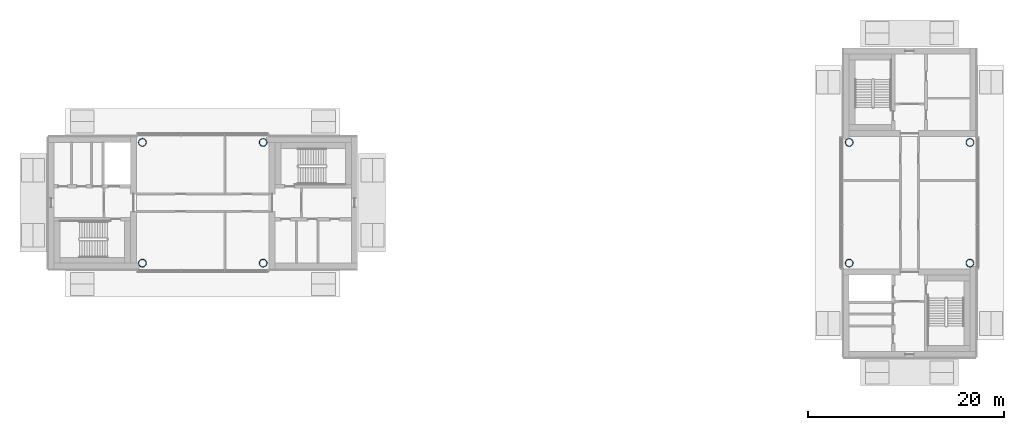
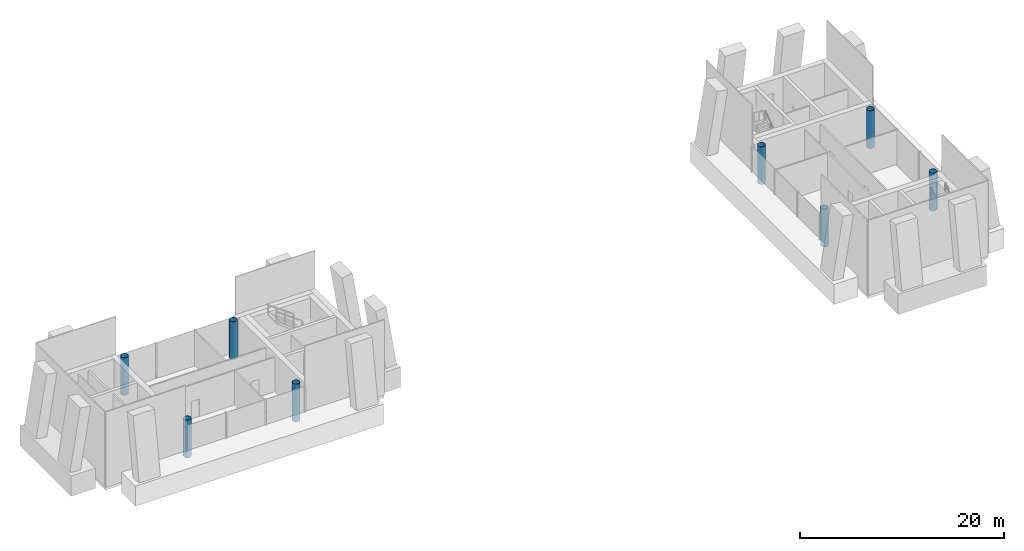
# One storey, part 1 of 12: 8 columns.
"""IFC4 building model written with IfcOpenShell, lengths in metres."""

from ifc_helpers import new_model, si_unit, direction, frame, origin, origin_2d, place, context, subcontext, project, spatial, hollow_circle, extrude, material, material_profile, profile_set, type_object, element, save


model = new_model("IFC4")

# Units and contexts
model_context = context("Model", 3, precision=1e-05, world=origin(), true_north=direction((0.0, 1.0)))
body_context = subcontext(model_context, "Body", "Model", "MODEL_VIEW")
ifc_project = project(units=[si_unit("LENGTHUNIT", "METRE"), si_unit("AREAUNIT", "SQUARE_METRE"), si_unit("VOLUMEUNIT", "CUBIC_METRE"), si_unit("PLANEANGLEUNIT", "RADIAN"), si_unit("MASSUNIT", "GRAM", prefix="KILO")], contexts=[model_context])

# Site, building, storey
site_placement = place(None, origin())
site = spatial("IfcSite", under=ifc_project, at=site_placement, CompositionType="ELEMENT")
building_placement = place(site_placement, origin())
building = spatial("IfcBuilding", under=site, at=building_placement, Name="Ipe Terrace Towers", CompositionType="ELEMENT")
storey_placement = place(building_placement, frame((0.0, 0.0, 255.89990234375)))
storey = spatial("IfcBuildingStorey", under=building, at=storey_placement, Name="L70", CompositionType="ELEMENT", Elevation=255.89990234375)

# Columns
ifc_material = material(Name="Steel S355 tube with Concrete C60/75 fill", Category="concrete")
ifc_material_profile = material_profile(ifc_material, hollow_circle(Radius=0.39990234375, WallThickness=0.028076171875, at=origin_2d()), Name="CHS-800x28")
ifc_profile_set = profile_set([ifc_material_profile], Name="Steel S355 tube with Concrete C60/75 fill")
column_type = type_object("IfcColumnType", Name="CH09 COLUMN CHS-800x28", PredefinedType="COLUMN", material=ifc_profile_set)
for number, where, z_axis, x_axis, name in (
    (1, (-42.14990234375, -6.14990234375, 0.0), (0.0, 0.0, 1.0), (1.0, 0.0, 0.0), "Column T1-C-E01"),
    (2, (-29.85009765625, -6.14990234375, 0.0), (0.0, 0.0, 1.0), (1.0, 0.0, 0.0), "Column T1-C-E02"),
    (3, (-29.85009765625, 6.14990234375, 0.0), (0.0, 0.0, 1.0), (1.0, 0.0, 0.0), "Column T1-C-E03"),
    (4, (-42.14990234375, 6.14990234375, 0.0), (0.0, 0.0, 1.0), (1.0, 0.0, 0.0), "Column T1-C-E04"),
    (5, (42.14990234375, -6.14990234375, 0.0), (0.0, 0.0, 1.0), (1.0, 0.0, 0.0), "Column T2-C-E01"),
    (6, (42.14990234375, 6.14990234375, 0.0), (0.0, 0.0, 1.0), (1.0, 0.0, 0.0), "Column T2-C-E02"),
    (7, (29.85009765625, 6.14990234375, 0.0), (0.0, 0.0, 1.0), (1.0, 0.0, 0.0), "Column T2-C-E03"),
    (8, (29.85009765625, -6.14990234375, 0.0), (0.0, 0.0, 1.0), (1.0, 0.0, 0.0), "Column T2-C-E04"),
):
    element("IfcColumn", number, at=place(storey_placement, frame(where, z_axis=z_axis, x_axis=x_axis)), inside=storey, type_object=column_type, Name=name, PredefinedType="COLUMN", context=body_context, shape_type="SweptSolid", body=[
        extrude(hollow_circle(Radius=0.39990234375, WallThickness=0.028076171875, at=origin_2d()), origin(), (0.0, 0.0, 1.0), 4.5),
    ])

save(model, "model.ifc")
